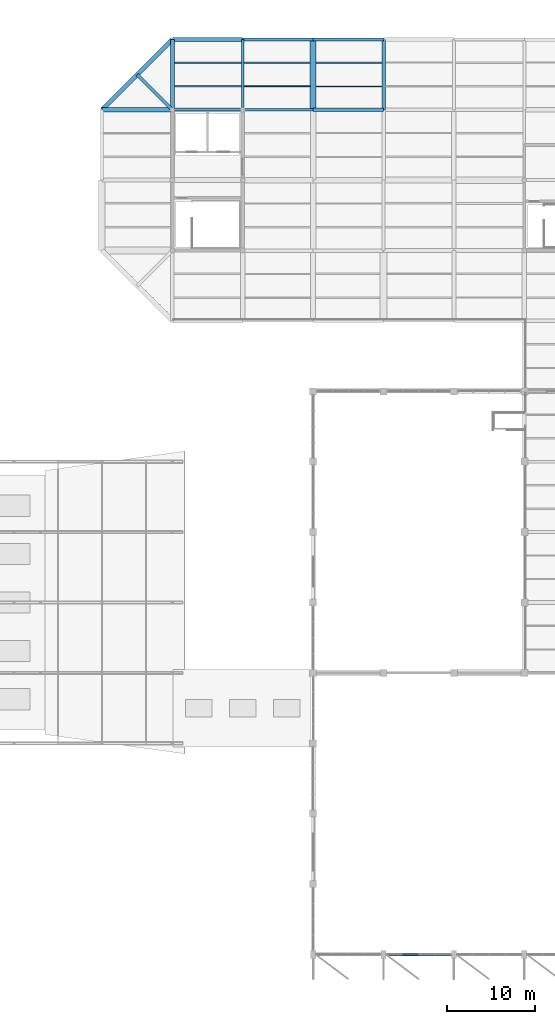
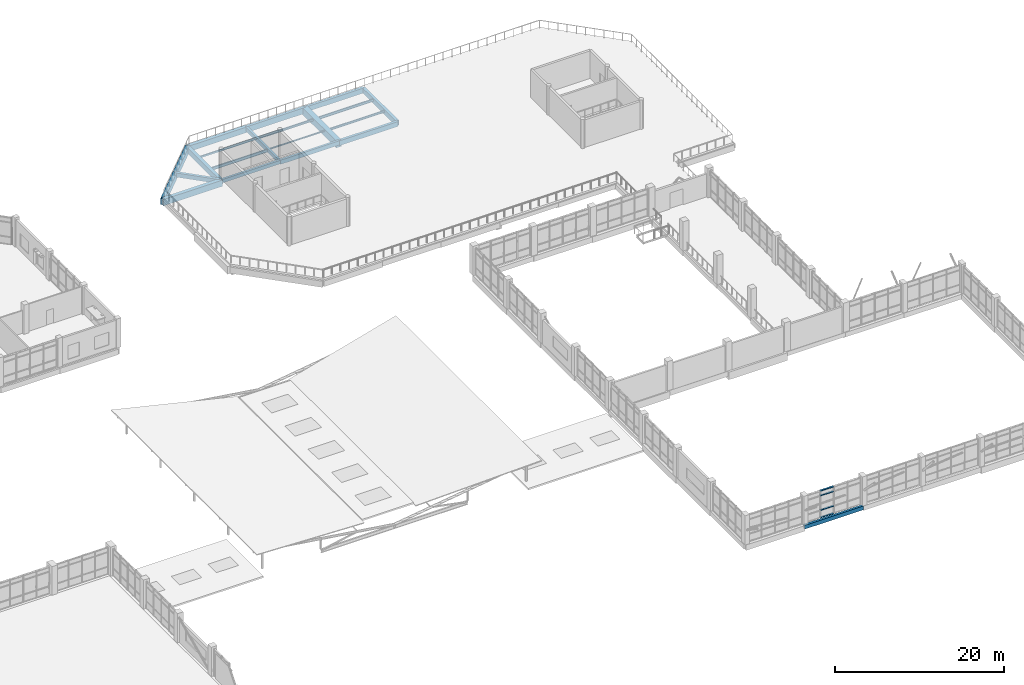
# One storey, part 39 of 84: 20 beams, 4 members, 1 element without a shape of its own.
"""IFC4 building model written with IfcOpenShell, lengths in metres."""

from ifc_helpers import new_model, si_unit, direction, frame, origin, origin_2d, place, context, subcontext, project, spatial, rectangle, hollow_rectangle, i_section, extrude, material, material_profile, profile_set, type_object, element, aggregate, save


model = new_model("IFC4")

# Units and contexts
model_context = context("Model", 3, precision=1e-05, world=origin(), true_north=direction((0.0, 1.0)))
body_context = subcontext(model_context, "Body", "Model", "MODEL_VIEW")
ifc_project = project(units=[si_unit("LENGTHUNIT", "METRE"), si_unit("AREAUNIT", "SQUARE_METRE"), si_unit("VOLUMEUNIT", "CUBIC_METRE"), si_unit("PLANEANGLEUNIT", "RADIAN"), si_unit("MASSUNIT", "GRAM", prefix="KILO")], contexts=[model_context])

# Site, building, storey
site_placement = place(None, origin())
site = spatial("IfcSite", under=ifc_project, at=site_placement, CompositionType="ELEMENT")
building_placement = place(site_placement, origin())
building = spatial("IfcBuilding", under=site, at=building_placement, Name="Tenunan Teduh Sports Hall", CompositionType="ELEMENT")
storey_placement = place(building_placement, frame((0.0, 0.0, 10.800048828125)))
storey = spatial("IfcBuildingStorey", under=building, at=storey_placement, Name="L02", CompositionType="ELEMENT", Elevation=10.800048828125)

# Beams
ifc_material_1 = material(Name="Concrete C40/50", Category="concrete")
ifc_material_profile_1 = material_profile(ifc_material_1, rectangle(XDim=0.300048828125, YDim=0.5, at=origin_2d()), Name="RCB 300x500")
ifc_profile_set_1 = profile_set([ifc_material_profile_1], Name="Concrete C40/50")
beam_type_1 = type_object("IfcBeamType", Name="BM-RC-300x500", PredefinedType="BEAM", material=ifc_profile_set_1)
beam_1_placement = place(storey_placement, frame((106.0, 110.0, -0.510009765625), z_axis=(1.0, 0.0, 0.0), x_axis=(0.0, 1.0, 0.0)))
element("IfcBeam", 1, at=beam_1_placement, inside=storey, type_object=beam_type_1, Name="BM-B-01-L02-1551", PredefinedType="BEAM", context=body_context, shape_type="SweptSolid", body=[
    extrude(rectangle(XDim=0.300048828125, YDim=0.5, at=origin_2d()), origin(), (0.0, 0.0, 1.0), 8.0),
])
ifc_material_2 = material(Name="Concrete C40/50", Category="concrete")
ifc_material_profile_2 = material_profile(ifc_material_2, rectangle(XDim=0.300048828125, YDim=0.550048828125, at=origin_2d()), Name="RCB 300x550")
ifc_profile_set_2 = profile_set([ifc_material_profile_2], Name="Concrete C40/50")
beam_type_2 = type_object("IfcBeamType", Name="BM-RC-300x550", PredefinedType="BEAM", material=ifc_profile_set_2)
for number, where, z_axis, x_axis, name in (
    (2, (130.0, 14.0, -0.53515625), (1.0, 0.0, 0.0), (0.0, 1.0, 0.0), "BM-B-02-L02-1459"),
    (3, (114.0, 110.0, -0.53515625), (0.0, 1.0, 0.0), (-1.0, 0.0, 0.0), "BM-B-02-L02-1632"),
):
    element("IfcBeam", number, at=place(storey_placement, frame(where, z_axis=z_axis, x_axis=x_axis)), inside=storey, type_object=beam_type_2, Name=name, PredefinedType="BEAM", context=body_context, shape_type="SweptSolid", body=[
        extrude(rectangle(XDim=0.300048828125, YDim=0.550048828125, at=origin_2d()), origin(), (0.0, 0.0, 1.0), 8.0),
    ])
ifc_material_3 = material(Name="Concrete C40/50", Category="concrete")
ifc_material_profile_3 = material_profile(ifc_material_3, rectangle(XDim=0.300048828125, YDim=0.60009765625, at=origin_2d()), Name="RCB 300x600")
ifc_profile_set_3 = profile_set([ifc_material_profile_3], Name="Concrete C40/50")
beam_type_3 = type_object("IfcBeamType", Name="BM-RC-300x600", PredefinedType="BEAM", material=ifc_profile_set_3)
beam_2_placement = place(storey_placement, frame((114.0, 110.0, -0.56005859375), z_axis=(1.0, 0.0, 0.0), x_axis=(0.0, 1.0, 0.0)))
element("IfcBeam", 4, at=beam_2_placement, inside=storey, type_object=beam_type_3, Name="BM-B-03-L02-1552", PredefinedType="BEAM", context=body_context, shape_type="SweptSolid", body=[
    extrude(rectangle(XDim=0.300048828125, YDim=0.60009765625, at=origin_2d()), origin(), (0.0, 0.0, 1.0), 8.0),
])
ifc_material_4 = material(Name="Concrete C40/50", Category="concrete")
ifc_material_profile_4 = material_profile(ifc_material_4, rectangle(XDim=0.35009765625, YDim=0.60009765625, at=origin_2d()), Name="RCB 350x600")
ifc_profile_set_4 = profile_set([ifc_material_profile_4], Name="Concrete C40/50")
beam_type_4 = type_object("IfcBeamType", Name="BM-RC-350x600", PredefinedType="BEAM", material=ifc_profile_set_4)
beam_3_placement = place(storey_placement, frame((106.0, 110.0, -0.56005859375), z_axis=(-0.707106781187, 0.707106781187, 0.0), x_axis=(-0.707106781187, -0.707106781187, 0.0)))
element("IfcBeam", 5, at=beam_3_placement, inside=storey, type_object=beam_type_4, Name="BM-B-04-L02-2233", PredefinedType="BEAM", context=body_context, shape_type="SweptSolid", body=[
    extrude(rectangle(XDim=0.35009765625, YDim=0.60009765625, at=origin_2d()), origin(), (0.0, 0.0, 1.0), 5.65673828125),
])
ifc_material_5 = material(Name="Concrete C40/50", Category="concrete")
ifc_material_profile_5 = material_profile(ifc_material_5, rectangle(XDim=0.35009765625, YDim=0.699951171875, at=origin_2d()), Name="RCB 350x700")
ifc_profile_set_5 = profile_set([ifc_material_profile_5], Name="Concrete C40/50")
beam_type_5 = type_object("IfcBeamType", Name="BM-RC-350x700", PredefinedType="BEAM", material=ifc_profile_set_5)
beam_4_placement = place(storey_placement, frame((122.0, 110.0, -0.610107421875), z_axis=(1.0, 0.0, 0.0), x_axis=(0.0, 1.0, 0.0)))
element("IfcBeam", 6, at=beam_4_placement, inside=storey, type_object=beam_type_5, Name="BM-B-06-L02-1553", PredefinedType="BEAM", context=body_context, shape_type="SweptSolid", body=[
    extrude(rectangle(XDim=0.35009765625, YDim=0.699951171875, at=origin_2d()), origin(), (0.0, 0.0, 1.0), 8.0),
])
ifc_material_6 = material(Name="Concrete C40/50", Category="concrete")
ifc_material_profile_6 = material_profile(ifc_material_6, rectangle(XDim=0.39990234375, YDim=0.699951171875, at=origin_2d()), Name="RCB 400x700")
ifc_profile_set_6 = profile_set([ifc_material_profile_6], Name="Concrete C40/50")
beam_type_6 = type_object("IfcBeamType", Name="BM-RC-400x700", PredefinedType="BEAM", material=ifc_profile_set_6)
beam_5_placement = place(storey_placement, frame((130.0, 110.0, -0.610107421875), z_axis=(0.0, 1.0, 0.0), x_axis=(-1.0, 0.0, 0.0)))
element("IfcBeam", 7, at=beam_5_placement, inside=storey, type_object=beam_type_6, Name="BM-B-08-L02-1648", PredefinedType="BEAM", context=body_context, shape_type="SweptSolid", body=[
    extrude(rectangle(XDim=0.39990234375, YDim=0.699951171875, at=origin_2d()), origin(), (0.0, 0.0, 1.0), 8.0),
])
ifc_material_7 = material(Name="Concrete C40/50", Category="concrete")
ifc_material_profile_7 = material_profile(ifc_material_7, rectangle(XDim=0.449951171875, YDim=0.800048828125, at=origin_2d()), Name="RCB 450x800")
ifc_profile_set_7 = profile_set([ifc_material_profile_7], Name="Concrete C40/50")
beam_type_7 = type_object("IfcBeamType", Name="BM-RC-450x800", PredefinedType="BEAM", material=ifc_profile_set_7)
for number, where, z_axis, x_axis, name in (
    (8, (106.0, 118.0, -0.66015625), (1.0, 0.0, 0.0), (0.0, 1.0, 0.0), "BM-B-12-L02-1565"),
    (9, (106.0, 110.0, -0.66015625), (0.0, 1.0, 0.0), (-1.0, 0.0, 0.0), "BM-B-12-L02-1628"),
):
    element("IfcBeam", number, at=place(storey_placement, frame(where, z_axis=z_axis, x_axis=x_axis)), inside=storey, type_object=beam_type_7, Name=name, PredefinedType="BEAM", context=body_context, shape_type="SweptSolid", body=[
        extrude(rectangle(XDim=0.449951171875, YDim=0.800048828125, at=origin_2d()), origin(), (0.0, 0.0, 1.0), 8.0),
    ])
ifc_material_8 = material(Name="Concrete C40/50", Category="concrete")
ifc_material_profile_8 = material_profile(ifc_material_8, rectangle(XDim=0.5, YDim=0.89990234375, at=origin_2d()), Name="RCB 500x900")
ifc_profile_set_8 = profile_set([ifc_material_profile_8], Name="Concrete C40/50")
beam_type_8 = type_object("IfcBeamType", Name="BM-RC-500x900", PredefinedType="BEAM", material=ifc_profile_set_8)
beam_6_placement = place(storey_placement, frame((98.0, 110.0, -0.7099609375), z_axis=(0.707106781187, 0.707106781187, 0.0), x_axis=(-0.707106781187, 0.707106781187, 0.0)))
element("IfcBeam", 10, at=beam_6_placement, inside=storey, type_object=beam_type_8, Name="BM-B-15-L02-0598", PredefinedType="BEAM", context=body_context, shape_type="SweptSolid", body=[
    extrude(rectangle(XDim=0.5, YDim=0.89990234375, at=origin_2d()), origin(), (0.0, 0.0, 1.0), 11.313720703125),
])
beam_7_placement = place(storey_placement, frame((98.0, 110.0, -0.7099609375), z_axis=(1.0, 0.0, 0.0), x_axis=(0.0, 1.0, 0.0)))
element("IfcBeam", 11, at=beam_7_placement, inside=storey, type_object=beam_type_8, Name="BM-B-15-L02-1550", PredefinedType="BEAM", context=body_context, shape_type="SweptSolid", body=[
    extrude(rectangle(XDim=0.5, YDim=0.89990234375, at=origin_2d()), origin(), (0.0, 0.0, 1.0), 8.0),
])
ifc_material_9 = material(Name="Concrete C40/50", Category="concrete")
ifc_material_profile_9 = material_profile(ifc_material_9, rectangle(XDim=0.699951171875, YDim=1.0, at=origin_2d()), Name="RCB 700x1000")
ifc_profile_set_9 = profile_set([ifc_material_profile_9], Name="Concrete C40/50")
beam_type_9 = type_object("IfcBeamType", Name="BM-RC-700x1000", PredefinedType="SPANDREL", material=ifc_profile_set_9)
beam_8_placement = place(storey_placement, frame((122.0, 110.0, -0.760009765625), z_axis=(0.0, 1.0, 0.0), x_axis=(-1.0, 0.0, 0.0)))
element("IfcBeam", 12, at=beam_8_placement, inside=storey, type_object=beam_type_9, Name="BM-B-19-L02-1644", PredefinedType="SPANDREL", context=body_context, shape_type="SweptSolid", body=[
    extrude(rectangle(XDim=0.699951171875, YDim=1.0, at=origin_2d()), origin(), (0.0, 0.0, 1.0), 8.0),
])
ifc_material_10 = material(Name="Concrete C40/50", Category="concrete")
ifc_material_profile_10 = material_profile(ifc_material_10, rectangle(XDim=0.35009765625, YDim=0.85009765625, at=origin_2d()), Name="SPB 350x850")
ifc_profile_set_10 = profile_set([ifc_material_profile_10], Name="Concrete C40/50")
beam_type_10 = type_object("IfcBeamType", Name="BM-SP-350x850", PredefinedType="SPANDREL", material=ifc_profile_set_10)
beam_9_placement = place(storey_placement, frame((114.0, 118.0, -0.68505859375), z_axis=(1.0, 0.0, 0.0), x_axis=(0.0, 1.0, 0.0)))
element("IfcBeam", 13, at=beam_9_placement, inside=storey, type_object=beam_type_10, Name="BM-SP-02-L02-1566", PredefinedType="SPANDREL", context=body_context, shape_type="SweptSolid", body=[
    extrude(rectangle(XDim=0.35009765625, YDim=0.85009765625, at=origin_2d()), origin(), (0.0, 0.0, 1.0), 8.0),
])
ifc_material_11 = material(Name="Concrete C40/50", Category="concrete")
ifc_material_profile_11 = material_profile(ifc_material_11, rectangle(XDim=0.35009765625, YDim=0.719970703125, at=origin_2d()), Name="TB 350x720")
ifc_profile_set_11 = profile_set([ifc_material_profile_11], Name="Concrete C40/50")
beam_type_11 = type_object("IfcBeamType", Name="BM-TB-350x720", PredefinedType="T_BEAM", material=ifc_profile_set_11)
beam_10_placement = place(storey_placement, frame((122.0, 118.0, -0.6201171875), z_axis=(1.0, 0.0, 0.0), x_axis=(0.0, 1.0, 0.0)))
element("IfcBeam", 14, at=beam_10_placement, inside=storey, type_object=beam_type_11, Name="BM-TB-01-L02-1567", PredefinedType="T_BEAM", context=body_context, shape_type="SweptSolid", body=[
    extrude(rectangle(XDim=0.35009765625, YDim=0.719970703125, at=origin_2d()), origin(), (0.0, 0.0, 1.0), 8.0),
])

# Curtain wall, members
ifc_material_12 = material(Name="Anodised aluminium", Category="aluminium")
curtain_wall_type = type_object("IfcCurtainWallType", Name="CW-CLER-1", PredefinedType="NOTDEFINED", material=ifc_material_12)
curtain_wall_placement = place(storey_placement, origin())
curtain_wall = element("IfcCurtainWall", 15, at=curtain_wall_placement, inside=storey, type_object=curtain_wall_type, Name="CW-CWM-220-L02-021", PredefinedType="NOTDEFINED")
ifc_material_13 = material(Name="Anodised aluminium", Category="aluminium")
ifc_material_profile_12 = material_profile(ifc_material_13, rectangle(XDim=0.074951171875, YDim=0.179931640625, at=origin_2d()), Name="CWT 75x180")
ifc_profile_set_12 = profile_set([ifc_material_profile_12], Name="Anodised aluminium")
member_type = type_object("IfcMemberType", Name="CWT-180", PredefinedType="USERDEFINED", material=ifc_profile_set_12)
member_1_placement = place(storey_placement, frame((132.1875, 14.0, 0.037353515625), z_axis=(1.0, 0.0, 0.0), x_axis=(0.0, 0.0, 1.0)))
member_1 = element("IfcMember", 16, at=member_1_placement, type_object=member_type, Name="CW-03 transom 2.1", ObjectType="TRANSOM", PredefinedType="USERDEFINED", context=body_context, shape_type="SweptSolid", body=[
    extrude(rectangle(XDim=0.074951171875, YDim=0.179931640625, at=origin_2d()), origin(), (0.0, 0.0, 1.0), 1.77490234375),
])
member_2_placement = place(storey_placement, frame((132.1875, 14.0, 1.099853515625), z_axis=(1.0, 0.0, 0.0), x_axis=(0.0, 0.0, 1.0)))
member_2 = element("IfcMember", 17, at=member_2_placement, type_object=member_type, Name="CW-03 transom 2.2", ObjectType="TRANSOM", PredefinedType="USERDEFINED", context=body_context, shape_type="SweptSolid", body=[
    extrude(rectangle(XDim=0.074951171875, YDim=0.179931640625, at=origin_2d()), origin(), (0.0, 0.0, 1.0), 1.77490234375),
])
member_3_placement = place(storey_placement, frame((132.1875, 14.0, 3.199951171875), z_axis=(1.0, 0.0, 0.0), x_axis=(0.0, 0.0, 1.0)))
member_3 = element("IfcMember", 18, at=member_3_placement, type_object=member_type, Name="CW-03 transom 2.3", ObjectType="TRANSOM", PredefinedType="USERDEFINED", context=body_context, shape_type="SweptSolid", body=[
    extrude(rectangle(XDim=0.074951171875, YDim=0.179931640625, at=origin_2d()), origin(), (0.0, 0.0, 1.0), 1.77490234375),
])
member_4_placement = place(storey_placement, frame((132.1875, 14.0, 3.882568359375), z_axis=(1.0, 0.0, 0.0), x_axis=(0.0, 0.0, 1.0)))
member_4 = element("IfcMember", 19, at=member_4_placement, type_object=member_type, Name="CW-03 transom 2.4", ObjectType="TRANSOM", PredefinedType="USERDEFINED", context=body_context, shape_type="SweptSolid", body=[
    extrude(rectangle(XDim=0.074951171875, YDim=0.179931640625, at=origin_2d()), origin(), (0.0, 0.0, 1.0), 1.77490234375),
])
aggregate(curtain_wall, [member_1, member_2, member_3, member_4])

# Beams
ifc_material_14 = material(Name="Steel S355", Category="steel")
ifc_material_profile_13 = material_profile(ifc_material_14, i_section(OverallWidth=0.10009765625, OverallDepth=0.199951171875, WebThickness=0.005615234375, FlangeThickness=0.008544921875, FilletRadius=0.011962890625, at=origin_2d()), Name="IPE 200")
ifc_profile_set_13 = profile_set([ifc_material_profile_13], Name="Steel S355")
beam_type_12 = type_object("IfcBeamType", Name="JST-IPE200", PredefinedType="JOIST", material=ifc_profile_set_13)
beam_11_placement = place(storey_placement, frame((114.14990234375, 112.64990234375, -0.360107421875), z_axis=(1.0, 0.0, 0.0), x_axis=(0.0, 1.0, 0.0)))
element("IfcBeam", 20, at=beam_11_placement, inside=storey, type_object=beam_type_12, Name="BM-J-01-L02-1764", PredefinedType="JOIST", context=body_context, shape_type="SweptSolid", body=[
    extrude(i_section(OverallWidth=0.10009765625, OverallDepth=0.199951171875, WebThickness=0.005615234375, FlangeThickness=0.008544921875, FilletRadius=0.011962890625, at=origin_2d()), origin(), (0.0, 0.0, 1.0), 7.5),
])
ifc_material_15 = material(Name="Steel S355", Category="steel")
ifc_material_profile_14 = material_profile(ifc_material_15, i_section(OverallWidth=0.14990234375, OverallDepth=0.300048828125, WebThickness=0.007080078125, FlangeThickness=0.0107421875, FilletRadius=0.014892578125, at=origin_2d()), Name="IPE 300")
ifc_profile_set_14 = profile_set([ifc_material_profile_14], Name="Steel S355")
beam_type_13 = type_object("IfcBeamType", Name="JST-IPE300", PredefinedType="JOIST", material=ifc_profile_set_14)
beam_12_placement = place(storey_placement, frame((122.35009765625, 112.64990234375, -0.41015625), z_axis=(1.0, 0.0, 0.0), x_axis=(0.0, 1.0, 0.0)))
element("IfcBeam", 21, at=beam_12_placement, inside=storey, type_object=beam_type_13, Name="BM-J-04-L02-1772", PredefinedType="JOIST", context=body_context, shape_type="SweptSolid", body=[
    extrude(i_section(OverallWidth=0.14990234375, OverallDepth=0.300048828125, WebThickness=0.007080078125, FlangeThickness=0.0107421875, FilletRadius=0.014892578125, at=origin_2d()), origin(), (0.0, 0.0, 1.0), 7.449951171875),
])
ifc_material_16 = material(Name="Steel S355", Category="steel")
ifc_material_profile_15 = material_profile(ifc_material_16, i_section(OverallWidth=0.169921875, OverallDepth=0.360107421875, WebThickness=0.008056640625, FlangeThickness=0.0126953125, FilletRadius=0.01806640625, at=origin_2d()), Name="IPE 360")
ifc_profile_set_15 = profile_set([ifc_material_profile_15], Name="Steel S355")
beam_type_14 = type_object("IfcBeamType", Name="JST-IPE360", PredefinedType="JOIST", material=ifc_profile_set_15)
beam_13_placement = place(storey_placement, frame((122.35009765625, 115.35009765625, -0.43994140625), z_axis=(1.0, 0.0, 0.0), x_axis=(0.0, 1.0, 0.0)))
element("IfcBeam", 22, at=beam_13_placement, inside=storey, type_object=beam_type_14, Name="BM-J-05-L02-1773", PredefinedType="JOIST", context=body_context, shape_type="SweptSolid", body=[
    extrude(i_section(OverallWidth=0.169921875, OverallDepth=0.360107421875, WebThickness=0.008056640625, FlangeThickness=0.0126953125, FilletRadius=0.01806640625, at=origin_2d()), origin(), (0.0, 0.0, 1.0), 7.449951171875),
])
ifc_material_17 = material(Name="Steel S355", Category="steel")
ifc_material_profile_16 = material_profile(ifc_material_17, hollow_rectangle(XDim=0.14990234375, YDim=0.25, WallThickness=0.010009765625, at=origin_2d()), Name="RHS 250x150x10.0")
ifc_profile_set_16 = profile_set([ifc_material_profile_16], Name="Steel S355")
beam_type_15 = type_object("IfcBeamType", Name="RBM-RHS250", PredefinedType="BEAM", material=ifc_profile_set_16)
beam_14_placement = place(storey_placement, frame((106.22509765625, 115.35009765625, -0.385009765625), z_axis=(1.0, 0.0, 0.0), x_axis=(0.0, 1.0, 0.0)))
element("IfcBeam", 23, at=beam_14_placement, inside=storey, type_object=beam_type_15, Name="Perimeter Ring Beam BM-RB-04-L02-1757", PredefinedType="BEAM", context=body_context, shape_type="SweptSolid", body=[
    extrude(hollow_rectangle(XDim=0.14990234375, YDim=0.25, WallThickness=0.010009765625, at=origin_2d()), origin(), (0.0, 0.0, 1.0), 7.625),
])
ifc_material_18 = material(Name="Steel S355", Category="steel")
ifc_material_profile_17 = material_profile(ifc_material_18, i_section(OverallWidth=0.1650390625, OverallDepth=0.303466796875, WebThickness=0.006103515625, FlangeThickness=0.01025390625, FilletRadius=0.0087890625, at=origin_2d()), Name="UKB 305x165x40")
ifc_profile_set_17 = profile_set([ifc_material_profile_17], Name="Steel S355")
beam_type_16 = type_object("IfcBeamType", Name="SBM-UKB305", PredefinedType="BEAM", material=ifc_profile_set_17)
beam_15_placement = place(storey_placement, frame((114.14990234375, 115.35009765625, -0.411865234375), z_axis=(1.0, 0.0, 0.0), x_axis=(0.0, 1.0, 0.0)))
element("IfcBeam", 24, at=beam_15_placement, inside=storey, type_object=beam_type_16, Name="BM-SB-01-L02-1765", PredefinedType="BEAM", context=body_context, shape_type="SweptSolid", body=[
    extrude(i_section(OverallWidth=0.1650390625, OverallDepth=0.303466796875, WebThickness=0.006103515625, FlangeThickness=0.01025390625, FilletRadius=0.0087890625, at=origin_2d()), origin(), (0.0, 0.0, 1.0), 7.5),
])
ifc_material_19 = material(Name="Steel S355", Category="steel")
ifc_material_profile_18 = material_profile(ifc_material_19, i_section(OverallWidth=0.177978515625, OverallDepth=0.406494140625, WebThickness=0.0078125, FlangeThickness=0.0126953125, FilletRadius=0.01025390625, at=origin_2d()), Name="UKB 406x178x60")
ifc_profile_set_18 = profile_set([ifc_material_profile_18], Name="Steel S355")
beam_type_17 = type_object("IfcBeamType", Name="SBM-UKB406", PredefinedType="BEAM", material=ifc_profile_set_18)
beam_16_placement = place(storey_placement, frame((106.22509765625, 112.64990234375, -0.463134765625), z_axis=(1.0, 0.0, 0.0), x_axis=(0.0, 1.0, 0.0)))
element("IfcBeam", 25, at=beam_16_placement, inside=storey, type_object=beam_type_17, Name="BM-SB-03-L02-1756", PredefinedType="BEAM", context=body_context, shape_type="SweptSolid", body=[
    extrude(i_section(OverallWidth=0.177978515625, OverallDepth=0.406494140625, WebThickness=0.0078125, FlangeThickness=0.0126953125, FilletRadius=0.01025390625, at=origin_2d()), origin(), (0.0, 0.0, 1.0), 7.625),
])

save(model, "model.ifc")
